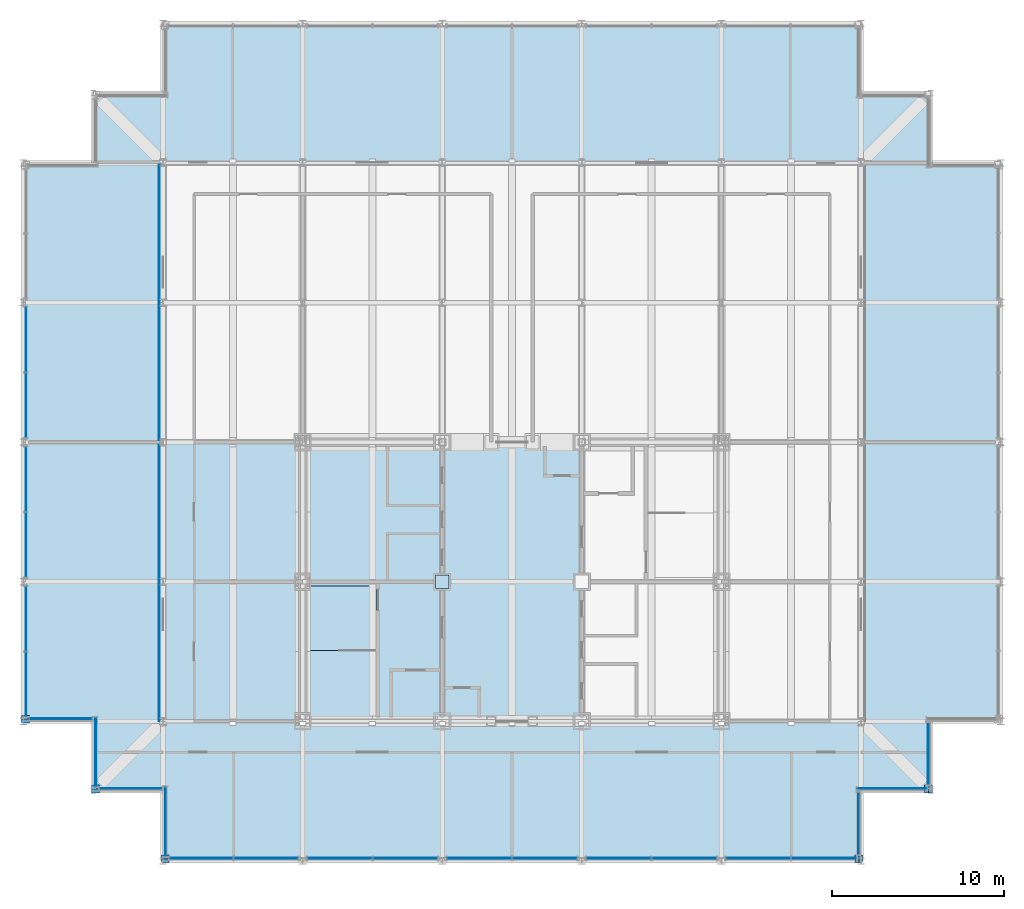
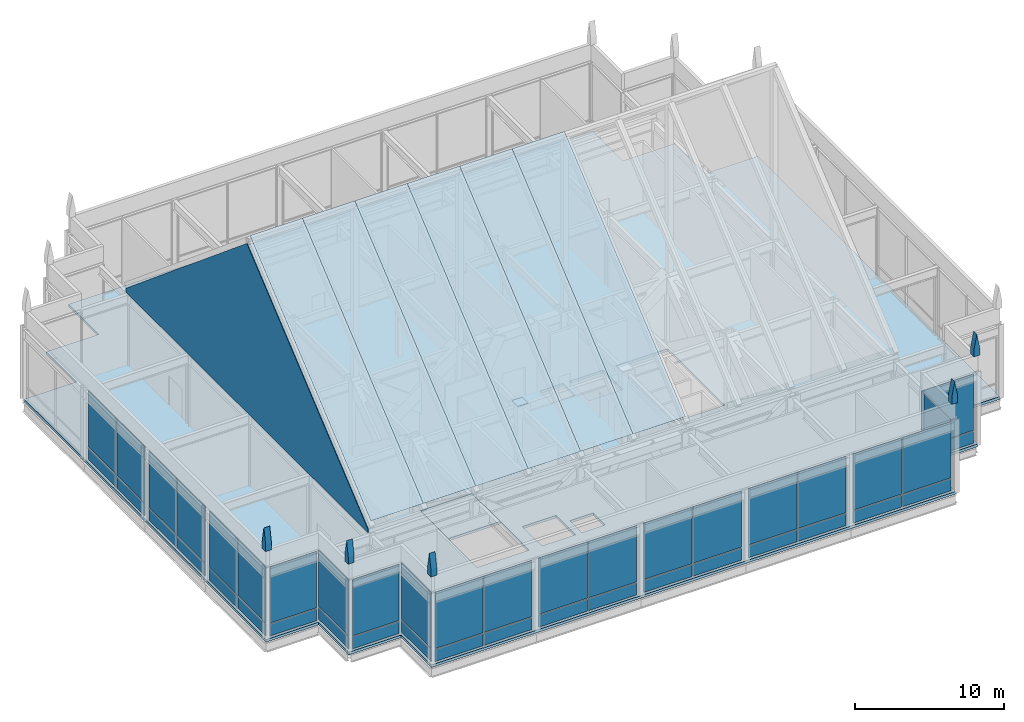
# One storey, part 14 of 22: 58 plates, 2 slabs, 15 elements without a shape of their own.
"""IFC4 building model written with IfcOpenShell, lengths in metres."""

from ifc_helpers import new_model, si_unit, direction, frame, origin, origin_2d, place, context, subcontext, project, spatial, polyline, rectangle, outline, extrude, material, layer, layer_set, type_object, element, aggregate, save


model = new_model("IFC4")

# Units and contexts
model_context = context("Model", 3, precision=1e-05, world=origin(), true_north=direction((0.0, 1.0)))
body_context = subcontext(model_context, "Body", "Model", "MODEL_VIEW")
ifc_project = project(units=[si_unit("LENGTHUNIT", "METRE"), si_unit("AREAUNIT", "SQUARE_METRE"), si_unit("VOLUMEUNIT", "CUBIC_METRE"), si_unit("PLANEANGLEUNIT", "RADIAN"), si_unit("MASSUNIT", "GRAM", prefix="KILO")], contexts=[model_context])

# Site, building, storey
site_placement = place(None, origin())
site = spatial("IfcSite", under=ifc_project, at=site_placement, CompositionType="ELEMENT")
building_placement = place(site_placement, origin())
building = spatial("IfcBuilding", under=site, at=building_placement, Name="Kopane Lantern Tower", CompositionType="ELEMENT")
storey_placement = place(building_placement, frame((0.0, 0.0, 303.89990234375)))
storey = spatial("IfcBuildingStorey", under=building, at=storey_placement, Name="L77", CompositionType="ELEMENT", Elevation=303.89990234375)

# Curtain wall, plates
ifc_material_1 = material(Name="Aluminium and clear glass", Category="aluminium")
curtain_wall_type = type_object("IfcCurtainWallType", Name="CURTAIN WALL CW6 LANTERN CROWN", PredefinedType="USERDEFINED", material=ifc_material_1)
curtain_wall_1_placement = place(storey_placement, origin())
curtain_wall_1 = element("IfcCurtainWall", 1, at=curtain_wall_1_placement, inside=storey, type_object=curtain_wall_type, Name="Curtain wall CW6 S L77", ObjectType="CURTAIN WALL", PredefinedType="USERDEFINED")
ifc_material_2 = material(Name="Insulated clear glass unit", Category="glass")
ifc_layer_1 = layer(ifc_material_2, 0.0400390625)
ifc_layer_set_1 = layer_set([ifc_layer_1], Name="CURTAIN PANEL CW6-P 40")
plate_type_1 = type_object("IfcPlateType", Name="CURTAIN PANEL CW6-P 40", PredefinedType="CURTAIN_PANEL", material=ifc_layer_set_1)
plate_1_placement = place(storey_placement, frame((10.31884765625, 16.35009765625, 0.080078125), z_axis=(0.0, 0.0, 1.0), x_axis=(1.0, 0.0, 0.0)))
plate_1 = element("IfcPlate", 2, at=plate_1_placement, type_object=plate_type_1, Name="CW6 panel 1.1", PredefinedType="CURTAIN_PANEL", context=body_context, shape_type="SweptSolid", body=[
    extrude(rectangle(XDim=3.677734375, YDim=0.0400390625, at=origin_2d()), origin(), (0.0, 0.0, 1.0), 0.97998046875),
])
plate_2_placement = place(storey_placement, frame((10.31884765625, 16.35009765625, 1.14013671875), z_axis=(0.0, 0.0, 1.0), x_axis=(1.0, 0.0, 0.0)))
plate_2 = element("IfcPlate", 3, at=plate_2_placement, type_object=plate_type_1, Name="CW6 panel 1.2", PredefinedType="CURTAIN_PANEL", context=body_context, shape_type="SweptSolid", body=[
    extrude(rectangle(XDim=3.677734375, YDim=0.0400390625, at=origin_2d()), origin(), (0.0, 0.0, 1.0), 4.580078125),
])
plate_3_placement = place(storey_placement, frame((14.07666015625, 16.35009765625, 0.080078125), z_axis=(0.0, 0.0, 1.0), x_axis=(1.0, 0.0, 0.0)))
plate_3 = element("IfcPlate", 4, at=plate_3_placement, type_object=plate_type_1, Name="CW6 panel 2.1", PredefinedType="CURTAIN_PANEL", context=body_context, shape_type="SweptSolid", body=[
    extrude(rectangle(XDim=3.677734375, YDim=0.0400390625, at=origin_2d()), origin(), (0.0, 0.0, 1.0), 0.97998046875),
])
plate_4_placement = place(storey_placement, frame((14.07666015625, 16.35009765625, 1.14013671875), z_axis=(0.0, 0.0, 1.0), x_axis=(1.0, 0.0, 0.0)))
plate_4 = element("IfcPlate", 5, at=plate_4_placement, type_object=plate_type_1, Name="CW6 panel 2.2", PredefinedType="CURTAIN_PANEL", context=body_context, shape_type="SweptSolid", body=[
    extrude(rectangle(XDim=3.677734375, YDim=0.0400390625, at=origin_2d()), origin(), (0.0, 0.0, 1.0), 4.580078125),
])
aggregate(curtain_wall_1, [plate_1, plate_2, plate_3, plate_4])

curtain_wall_2_placement = place(storey_placement, origin())
curtain_wall_2 = element("IfcCurtainWall", 6, at=curtain_wall_2_placement, inside=storey, type_object=curtain_wall_type, Name="Curtain wall CW6 S L77", ObjectType="CURTAIN WALL", PredefinedType="USERDEFINED")
plate_5_placement = place(storey_placement, frame((18.34716796875, 16.35009765625, 0.080078125), z_axis=(0.0, 0.0, 1.0), x_axis=(1.0, 0.0, 0.0)))
plate_5 = element("IfcPlate", 7, at=plate_5_placement, type_object=plate_type_1, Name="CW6 panel 1.1", PredefinedType="CURTAIN_PANEL", context=body_context, shape_type="SweptSolid", body=[
    extrude(rectangle(XDim=3.7255859375, YDim=0.0400390625, at=origin_2d()), origin(), (0.0, 0.0, 1.0), 0.97998046875),
])
plate_6_placement = place(storey_placement, frame((18.34716796875, 16.35009765625, 1.14013671875), z_axis=(0.0, 0.0, 1.0), x_axis=(1.0, 0.0, 0.0)))
plate_6 = element("IfcPlate", 8, at=plate_6_placement, type_object=plate_type_1, Name="CW6 panel 1.2", PredefinedType="CURTAIN_PANEL", context=body_context, shape_type="SweptSolid", body=[
    extrude(rectangle(XDim=3.7255859375, YDim=0.0400390625, at=origin_2d()), origin(), (0.0, 0.0, 1.0), 4.580078125),
])
plate_7_placement = place(storey_placement, frame((22.15283203125, 16.35009765625, 0.080078125), z_axis=(0.0, 0.0, 1.0), x_axis=(1.0, 0.0, 0.0)))
plate_7 = element("IfcPlate", 9, at=plate_7_placement, type_object=plate_type_1, Name="CW6 panel 2.1", PredefinedType="CURTAIN_PANEL", context=body_context, shape_type="SweptSolid", body=[
    extrude(rectangle(XDim=3.7255859375, YDim=0.0400390625, at=origin_2d()), origin(), (0.0, 0.0, 1.0), 0.97998046875),
])
plate_8_placement = place(storey_placement, frame((22.15283203125, 16.35009765625, 1.14013671875), z_axis=(0.0, 0.0, 1.0), x_axis=(1.0, 0.0, 0.0)))
plate_8 = element("IfcPlate", 10, at=plate_8_placement, type_object=plate_type_1, Name="CW6 panel 2.2", PredefinedType="CURTAIN_PANEL", context=body_context, shape_type="SweptSolid", body=[
    extrude(rectangle(XDim=3.7255859375, YDim=0.0400390625, at=origin_2d()), origin(), (0.0, 0.0, 1.0), 4.580078125),
])
aggregate(curtain_wall_2, [plate_5, plate_6, plate_7, plate_8])

curtain_wall_3_placement = place(storey_placement, origin())
curtain_wall_3 = element("IfcCurtainWall", 11, at=curtain_wall_3_placement, inside=storey, type_object=curtain_wall_type, Name="Curtain wall CW6 S L77", ObjectType="CURTAIN WALL", PredefinedType="USERDEFINED")
plate_9_placement = place(storey_placement, frame((26.447265625, 16.35009765625, 0.080078125), z_axis=(0.0, 0.0, 1.0), x_axis=(1.0, 0.0, 0.0)))
plate_9 = element("IfcPlate", 12, at=plate_9_placement, type_object=plate_type_1, Name="CW6 panel 1.1", PredefinedType="CURTAIN_PANEL", context=body_context, shape_type="SweptSolid", body=[
    extrude(rectangle(XDim=3.7255859375, YDim=0.0400390625, at=origin_2d()), origin(), (0.0, 0.0, 1.0), 0.97998046875),
])
plate_10_placement = place(storey_placement, frame((26.447265625, 16.35009765625, 1.14013671875), z_axis=(0.0, 0.0, 1.0), x_axis=(1.0, 0.0, 0.0)))
plate_10 = element("IfcPlate", 13, at=plate_10_placement, type_object=plate_type_1, Name="CW6 panel 1.2", PredefinedType="CURTAIN_PANEL", context=body_context, shape_type="SweptSolid", body=[
    extrude(rectangle(XDim=3.7255859375, YDim=0.0400390625, at=origin_2d()), origin(), (0.0, 0.0, 1.0), 4.580078125),
])
plate_11_placement = place(storey_placement, frame((30.252685546875, 16.35009765625, 0.080078125), z_axis=(0.0, 0.0, 1.0), x_axis=(1.0, 0.0, 0.0)))
plate_11 = element("IfcPlate", 14, at=plate_11_placement, type_object=plate_type_1, Name="CW6 panel 2.1", PredefinedType="CURTAIN_PANEL", context=body_context, shape_type="SweptSolid", body=[
    extrude(rectangle(XDim=3.7255859375, YDim=0.0400390625, at=origin_2d()), origin(), (0.0, 0.0, 1.0), 0.97998046875),
])
plate_12_placement = place(storey_placement, frame((30.252685546875, 16.35009765625, 1.14013671875), z_axis=(0.0, 0.0, 1.0), x_axis=(1.0, 0.0, 0.0)))
plate_12 = element("IfcPlate", 15, at=plate_12_placement, type_object=plate_type_1, Name="CW6 panel 2.2", PredefinedType="CURTAIN_PANEL", context=body_context, shape_type="SweptSolid", body=[
    extrude(rectangle(XDim=3.7255859375, YDim=0.0400390625, at=origin_2d()), origin(), (0.0, 0.0, 1.0), 4.580078125),
])
aggregate(curtain_wall_3, [plate_9, plate_10, plate_11, plate_12])

curtain_wall_4_placement = place(storey_placement, origin())
curtain_wall_4 = element("IfcCurtainWall", 16, at=curtain_wall_4_placement, inside=storey, type_object=curtain_wall_type, Name="Curtain wall CW6 S L77", ObjectType="CURTAIN WALL", PredefinedType="USERDEFINED")
plate_13_placement = place(storey_placement, frame((34.54736328125, 16.35009765625, 0.080078125), z_axis=(0.0, 0.0, 1.0), x_axis=(1.0, 0.0, 0.0)))
plate_13 = element("IfcPlate", 17, at=plate_13_placement, type_object=plate_type_1, Name="CW6 panel 1.1", PredefinedType="CURTAIN_PANEL", context=body_context, shape_type="SweptSolid", body=[
    extrude(rectangle(XDim=3.7255859375, YDim=0.0400390625, at=origin_2d()), origin(), (0.0, 0.0, 1.0), 0.97998046875),
])
plate_14_placement = place(storey_placement, frame((34.54736328125, 16.35009765625, 1.14013671875), z_axis=(0.0, 0.0, 1.0), x_axis=(1.0, 0.0, 0.0)))
plate_14 = element("IfcPlate", 18, at=plate_14_placement, type_object=plate_type_1, Name="CW6 panel 1.2", PredefinedType="CURTAIN_PANEL", context=body_context, shape_type="SweptSolid", body=[
    extrude(rectangle(XDim=3.7255859375, YDim=0.0400390625, at=origin_2d()), origin(), (0.0, 0.0, 1.0), 4.580078125),
])
plate_15_placement = place(storey_placement, frame((38.352783203125, 16.35009765625, 0.080078125), z_axis=(0.0, 0.0, 1.0), x_axis=(1.0, 0.0, 0.0)))
plate_15 = element("IfcPlate", 19, at=plate_15_placement, type_object=plate_type_1, Name="CW6 panel 2.1", PredefinedType="CURTAIN_PANEL", context=body_context, shape_type="SweptSolid", body=[
    extrude(rectangle(XDim=3.7255859375, YDim=0.0400390625, at=origin_2d()), origin(), (0.0, 0.0, 1.0), 0.97998046875),
])
plate_16_placement = place(storey_placement, frame((38.352783203125, 16.35009765625, 1.14013671875), z_axis=(0.0, 0.0, 1.0), x_axis=(1.0, 0.0, 0.0)))
plate_16 = element("IfcPlate", 20, at=plate_16_placement, type_object=plate_type_1, Name="CW6 panel 2.2", PredefinedType="CURTAIN_PANEL", context=body_context, shape_type="SweptSolid", body=[
    extrude(rectangle(XDim=3.7255859375, YDim=0.0400390625, at=origin_2d()), origin(), (0.0, 0.0, 1.0), 4.580078125),
])
aggregate(curtain_wall_4, [plate_13, plate_14, plate_15, plate_16])

curtain_wall_5_placement = place(storey_placement, origin())
curtain_wall_5 = element("IfcCurtainWall", 21, at=curtain_wall_5_placement, inside=storey, type_object=curtain_wall_type, Name="Curtain wall CW6 S L77", ObjectType="CURTAIN WALL", PredefinedType="USERDEFINED")
plate_17_placement = place(storey_placement, frame((42.647216796875, 16.35009765625, 0.080078125), z_axis=(0.0, 0.0, 1.0), x_axis=(1.0, 0.0, 0.0)))
plate_17 = element("IfcPlate", 22, at=plate_17_placement, type_object=plate_type_1, Name="CW6 panel 1.1", PredefinedType="CURTAIN_PANEL", context=body_context, shape_type="SweptSolid", body=[
    extrude(rectangle(XDim=3.7255859375, YDim=0.0400390625, at=origin_2d()), origin(), (0.0, 0.0, 1.0), 0.97998046875),
])
plate_18_placement = place(storey_placement, frame((42.647216796875, 16.35009765625, 1.14013671875), z_axis=(0.0, 0.0, 1.0), x_axis=(1.0, 0.0, 0.0)))
plate_18 = element("IfcPlate", 23, at=plate_18_placement, type_object=plate_type_1, Name="CW6 panel 1.2", PredefinedType="CURTAIN_PANEL", context=body_context, shape_type="SweptSolid", body=[
    extrude(rectangle(XDim=3.7255859375, YDim=0.0400390625, at=origin_2d()), origin(), (0.0, 0.0, 1.0), 4.580078125),
])
plate_19_placement = place(storey_placement, frame((46.45263671875, 16.35009765625, 0.080078125), z_axis=(0.0, 0.0, 1.0), x_axis=(1.0, 0.0, 0.0)))
plate_19 = element("IfcPlate", 24, at=plate_19_placement, type_object=plate_type_1, Name="CW6 panel 2.1", PredefinedType="CURTAIN_PANEL", context=body_context, shape_type="SweptSolid", body=[
    extrude(rectangle(XDim=3.7255859375, YDim=0.0400390625, at=origin_2d()), origin(), (0.0, 0.0, 1.0), 0.97998046875),
])
plate_20_placement = place(storey_placement, frame((46.45263671875, 16.35009765625, 1.14013671875), z_axis=(0.0, 0.0, 1.0), x_axis=(1.0, 0.0, 0.0)))
plate_20 = element("IfcPlate", 25, at=plate_20_placement, type_object=plate_type_1, Name="CW6 panel 2.2", PredefinedType="CURTAIN_PANEL", context=body_context, shape_type="SweptSolid", body=[
    extrude(rectangle(XDim=3.7255859375, YDim=0.0400390625, at=origin_2d()), origin(), (0.0, 0.0, 1.0), 4.580078125),
])
aggregate(curtain_wall_5, [plate_17, plate_18, plate_19, plate_20])

curtain_wall_6_placement = place(storey_placement, origin())
curtain_wall_6 = element("IfcCurtainWall", 26, at=curtain_wall_6_placement, inside=storey, type_object=curtain_wall_type, Name="Curtain wall CW6 E L77", ObjectType="CURTAIN WALL", PredefinedType="USERDEFINED")
plate_21_placement = place(storey_placement, frame((48.449951171875, 18.375, 0.080078125), z_axis=(0.0, 0.0, 1.0), x_axis=(0.0, 1.0, 0.0)))
plate_21 = element("IfcPlate", 27, at=plate_21_placement, type_object=plate_type_1, Name="CW6 panel 1.1", PredefinedType="CURTAIN_PANEL", context=body_context, shape_type="SweptSolid", body=[
    extrude(rectangle(XDim=3.590087890625, YDim=0.0400390625, at=origin_2d()), origin(), (0.0, 0.0, 1.0), 0.97998046875),
])
plate_22_placement = place(storey_placement, frame((48.449951171875, 18.375, 1.14013671875), z_axis=(0.0, 0.0, 1.0), x_axis=(0.0, 1.0, 0.0)))
plate_22 = element("IfcPlate", 28, at=plate_22_placement, type_object=plate_type_1, Name="CW6 panel 1.2", PredefinedType="CURTAIN_PANEL", context=body_context, shape_type="SweptSolid", body=[
    extrude(rectangle(XDim=3.590087890625, YDim=0.0400390625, at=origin_2d()), origin(), (0.0, 0.0, 1.0), 4.580078125),
])
aggregate(curtain_wall_6, [plate_21, plate_22])

curtain_wall_7_placement = place(storey_placement, origin())
curtain_wall_7 = element("IfcCurtainWall", 29, at=curtain_wall_7_placement, inside=storey, type_object=curtain_wall_type, Name="Curtain wall CW6 S L77", ObjectType="CURTAIN WALL", PredefinedType="USERDEFINED")
plate_23_placement = place(storey_placement, frame((50.395751953125, 20.39990234375, 0.080078125), z_axis=(0.0, 0.0, 1.0), x_axis=(1.0, 0.0, 0.0)))
plate_23 = element("IfcPlate", 30, at=plate_23_placement, type_object=plate_type_1, Name="CW6 panel 1.1", PredefinedType="CURTAIN_PANEL", context=body_context, shape_type="SweptSolid", body=[
    extrude(rectangle(XDim=4.03125, YDim=0.0400390625, at=origin_2d()), origin(), (0.0, 0.0, 1.0), 0.97998046875),
])
plate_24_placement = place(storey_placement, frame((50.395751953125, 20.39990234375, 1.14013671875), z_axis=(0.0, 0.0, 1.0), x_axis=(1.0, 0.0, 0.0)))
plate_24 = element("IfcPlate", 31, at=plate_24_placement, type_object=plate_type_1, Name="CW6 panel 1.2", PredefinedType="CURTAIN_PANEL", context=body_context, shape_type="SweptSolid", body=[
    extrude(rectangle(XDim=4.03125, YDim=0.0400390625, at=origin_2d()), origin(), (0.0, 0.0, 1.0), 4.580078125),
])
aggregate(curtain_wall_7, [plate_23, plate_24])

# Curtain wall, plate
curtain_wall_8_placement = place(storey_placement, origin())
curtain_wall_8 = element("IfcCurtainWall", 32, at=curtain_wall_8_placement, inside=storey, type_object=curtain_wall_type, Name="Curtain wall CW6 E L77", ObjectType="CURTAIN WALL", PredefinedType="USERDEFINED")
plate_25_placement = place(storey_placement, frame((52.5, 22.425048828125, 0.080078125), z_axis=(0.0, 0.0, 1.0), x_axis=(0.0, 1.0, 0.0)))
plate_25 = element("IfcPlate", 33, at=plate_25_placement, type_object=plate_type_1, Name="CW6 panel 1.1", PredefinedType="CURTAIN_PANEL", context=body_context, shape_type="SweptSolid", body=[
    extrude(rectangle(XDim=3.590087890625, YDim=0.0400390625, at=origin_2d()), origin(), (0.0, 0.0, 1.0), 0.97998046875),
])
aggregate(curtain_wall_8, [plate_25])

# Curtain wall, plates
curtain_wall_9_placement = place(storey_placement, origin())
curtain_wall_9 = element("IfcCurtainWall", 34, at=curtain_wall_9_placement, inside=storey, type_object=curtain_wall_type, Name="Curtain wall CW6 W L77", ObjectType="CURTAIN WALL", PredefinedType="USERDEFINED")
plate_26_placement = place(storey_placement, frame((0.14990234375, 46.4541015625, 0.080078125), z_axis=(0.0, 0.0, 1.0), x_axis=(0.0, -1.0, 0.0)))
plate_26 = element("IfcPlate", 35, at=plate_26_placement, type_object=plate_type_1, Name="CW6 panel 1.1", PredefinedType="CURTAIN_PANEL", context=body_context, shape_type="SweptSolid", body=[
    extrude(rectangle(XDim=3.728271484375, YDim=0.0400390625, at=origin_2d()), origin(), (0.0, 0.0, 1.0), 0.97998046875),
])
plate_27_placement = place(storey_placement, frame((0.14990234375, 46.4541015625, 1.14013671875), z_axis=(0.0, 0.0, 1.0), x_axis=(0.0, -1.0, 0.0)))
plate_27 = element("IfcPlate", 36, at=plate_27_placement, type_object=plate_type_1, Name="CW6 panel 1.2", PredefinedType="CURTAIN_PANEL", context=body_context, shape_type="SweptSolid", body=[
    extrude(rectangle(XDim=3.728271484375, YDim=0.0400390625, at=origin_2d()), origin(), (0.0, 0.0, 1.0), 4.580078125),
])
plate_28_placement = place(storey_placement, frame((0.14990234375, 42.64599609375, 0.080078125), z_axis=(0.0, 0.0, 1.0), x_axis=(0.0, -1.0, 0.0)))
plate_28 = element("IfcPlate", 37, at=plate_28_placement, type_object=plate_type_1, Name="CW6 panel 2.1", PredefinedType="CURTAIN_PANEL", context=body_context, shape_type="SweptSolid", body=[
    extrude(rectangle(XDim=3.728271484375, YDim=0.0400390625, at=origin_2d()), origin(), (0.0, 0.0, 1.0), 0.97998046875),
])
plate_29_placement = place(storey_placement, frame((0.14990234375, 42.64599609375, 1.14013671875), z_axis=(0.0, 0.0, 1.0), x_axis=(0.0, -1.0, 0.0)))
plate_29 = element("IfcPlate", 38, at=plate_29_placement, type_object=plate_type_1, Name="CW6 panel 2.2", PredefinedType="CURTAIN_PANEL", context=body_context, shape_type="SweptSolid", body=[
    extrude(rectangle(XDim=3.728271484375, YDim=0.0400390625, at=origin_2d()), origin(), (0.0, 0.0, 1.0), 4.580078125),
])
aggregate(curtain_wall_9, [plate_26, plate_27, plate_28, plate_29])

curtain_wall_10_placement = place(storey_placement, origin())
curtain_wall_10 = element("IfcCurtainWall", 39, at=curtain_wall_10_placement, inside=storey, type_object=curtain_wall_type, Name="Curtain wall CW6 W L77", ObjectType="CURTAIN WALL", PredefinedType="USERDEFINED")
plate_30_placement = place(storey_placement, frame((0.14990234375, 38.35400390625, 0.080078125), z_axis=(0.0, 0.0, 1.0), x_axis=(0.0, -1.0, 0.0)))
plate_30 = element("IfcPlate", 40, at=plate_30_placement, type_object=plate_type_1, Name="CW6 panel 1.1", PredefinedType="CURTAIN_PANEL", context=body_context, shape_type="SweptSolid", body=[
    extrude(rectangle(XDim=3.728271484375, YDim=0.0400390625, at=origin_2d()), origin(), (0.0, 0.0, 1.0), 0.97998046875),
])
plate_31_placement = place(storey_placement, frame((0.14990234375, 38.35400390625, 1.14013671875), z_axis=(0.0, 0.0, 1.0), x_axis=(0.0, -1.0, 0.0)))
plate_31 = element("IfcPlate", 41, at=plate_31_placement, type_object=plate_type_1, Name="CW6 panel 1.2", PredefinedType="CURTAIN_PANEL", context=body_context, shape_type="SweptSolid", body=[
    extrude(rectangle(XDim=3.728271484375, YDim=0.0400390625, at=origin_2d()), origin(), (0.0, 0.0, 1.0), 4.580078125),
])
plate_32_placement = place(storey_placement, frame((0.14990234375, 34.5458984375, 0.080078125), z_axis=(0.0, 0.0, 1.0), x_axis=(0.0, -1.0, 0.0)))
plate_32 = element("IfcPlate", 42, at=plate_32_placement, type_object=plate_type_1, Name="CW6 panel 2.1", PredefinedType="CURTAIN_PANEL", context=body_context, shape_type="SweptSolid", body=[
    extrude(rectangle(XDim=3.728271484375, YDim=0.0400390625, at=origin_2d()), origin(), (0.0, 0.0, 1.0), 0.97998046875),
])
plate_33_placement = place(storey_placement, frame((0.14990234375, 34.5458984375, 1.14013671875), z_axis=(0.0, 0.0, 1.0), x_axis=(0.0, -1.0, 0.0)))
plate_33 = element("IfcPlate", 43, at=plate_33_placement, type_object=plate_type_1, Name="CW6 panel 2.2", PredefinedType="CURTAIN_PANEL", context=body_context, shape_type="SweptSolid", body=[
    extrude(rectangle(XDim=3.728271484375, YDim=0.0400390625, at=origin_2d()), origin(), (0.0, 0.0, 1.0), 4.580078125),
])
aggregate(curtain_wall_10, [plate_30, plate_31, plate_32, plate_33])

curtain_wall_11_placement = place(storey_placement, origin())
curtain_wall_11 = element("IfcCurtainWall", 44, at=curtain_wall_11_placement, inside=storey, type_object=curtain_wall_type, Name="Curtain wall CW6 W L77", ObjectType="CURTAIN WALL", PredefinedType="USERDEFINED")
plate_34_placement = place(storey_placement, frame((0.14990234375, 30.254150390625, 0.080078125), z_axis=(0.0, 0.0, 1.0), x_axis=(0.0, -1.0, 0.0)))
plate_34 = element("IfcPlate", 45, at=plate_34_placement, type_object=plate_type_1, Name="CW6 panel 1.1", PredefinedType="CURTAIN_PANEL", context=body_context, shape_type="SweptSolid", body=[
    extrude(rectangle(XDim=3.728271484375, YDim=0.0400390625, at=origin_2d()), origin(), (0.0, 0.0, 1.0), 0.97998046875),
])
plate_35_placement = place(storey_placement, frame((0.14990234375, 30.254150390625, 1.14013671875), z_axis=(0.0, 0.0, 1.0), x_axis=(0.0, -1.0, 0.0)))
plate_35 = element("IfcPlate", 46, at=plate_35_placement, type_object=plate_type_1, Name="CW6 panel 1.2", PredefinedType="CURTAIN_PANEL", context=body_context, shape_type="SweptSolid", body=[
    extrude(rectangle(XDim=3.728271484375, YDim=0.0400390625, at=origin_2d()), origin(), (0.0, 0.0, 1.0), 4.580078125),
])
plate_36_placement = place(storey_placement, frame((0.14990234375, 26.44580078125, 0.080078125), z_axis=(0.0, 0.0, 1.0), x_axis=(0.0, -1.0, 0.0)))
plate_36 = element("IfcPlate", 47, at=plate_36_placement, type_object=plate_type_1, Name="CW6 panel 2.1", PredefinedType="CURTAIN_PANEL", context=body_context, shape_type="SweptSolid", body=[
    extrude(rectangle(XDim=3.728271484375, YDim=0.0400390625, at=origin_2d()), origin(), (0.0, 0.0, 1.0), 0.97998046875),
])
plate_37_placement = place(storey_placement, frame((0.14990234375, 26.44580078125, 1.14013671875), z_axis=(0.0, 0.0, 1.0), x_axis=(0.0, -1.0, 0.0)))
plate_37 = element("IfcPlate", 48, at=plate_37_placement, type_object=plate_type_1, Name="CW6 panel 2.2", PredefinedType="CURTAIN_PANEL", context=body_context, shape_type="SweptSolid", body=[
    extrude(rectangle(XDim=3.728271484375, YDim=0.0400390625, at=origin_2d()), origin(), (0.0, 0.0, 1.0), 4.580078125),
])
aggregate(curtain_wall_11, [plate_34, plate_35, plate_36, plate_37])

curtain_wall_12_placement = place(storey_placement, origin())
curtain_wall_12 = element("IfcCurtainWall", 49, at=curtain_wall_12_placement, inside=storey, type_object=curtain_wall_type, Name="Curtain wall CW6 S L77", ObjectType="CURTAIN WALL", PredefinedType="USERDEFINED")
plate_38_placement = place(storey_placement, frame((2.175048828125, 24.449951171875, 0.080078125), z_axis=(0.0, 0.0, 1.0), x_axis=(1.0, 0.0, 0.0)))
plate_38 = element("IfcPlate", 50, at=plate_38_placement, type_object=plate_type_1, Name="CW6 panel 1.1", PredefinedType="CURTAIN_PANEL", context=body_context, shape_type="SweptSolid", body=[
    extrude(rectangle(XDim=3.590087890625, YDim=0.0400390625, at=origin_2d()), origin(), (0.0, 0.0, 1.0), 0.97998046875),
])
plate_39_placement = place(storey_placement, frame((2.175048828125, 24.449951171875, 1.14013671875), z_axis=(0.0, 0.0, 1.0), x_axis=(1.0, 0.0, 0.0)))
plate_39 = element("IfcPlate", 51, at=plate_39_placement, type_object=plate_type_1, Name="CW6 panel 1.2", PredefinedType="CURTAIN_PANEL", context=body_context, shape_type="SweptSolid", body=[
    extrude(rectangle(XDim=3.590087890625, YDim=0.0400390625, at=origin_2d()), origin(), (0.0, 0.0, 1.0), 4.580078125),
])
aggregate(curtain_wall_12, [plate_38, plate_39])

curtain_wall_13_placement = place(storey_placement, origin())
curtain_wall_13 = element("IfcCurtainWall", 52, at=curtain_wall_13_placement, inside=storey, type_object=curtain_wall_type, Name="Curtain wall CW6 W L77", ObjectType="CURTAIN WALL", PredefinedType="USERDEFINED")
plate_40_placement = place(storey_placement, frame((4.199951171875, 22.506103515625, 0.080078125), z_axis=(0.0, 0.0, 1.0), x_axis=(0.0, -1.0, 0.0)))
plate_40 = element("IfcPlate", 53, at=plate_40_placement, type_object=plate_type_1, Name="CW6 panel 1.1", PredefinedType="CURTAIN_PANEL", context=body_context, shape_type="SweptSolid", body=[
    extrude(rectangle(XDim=4.027587890625, YDim=0.0400390625, at=origin_2d()), origin(), (0.0, 0.0, 1.0), 0.97998046875),
])
plate_41_placement = place(storey_placement, frame((4.199951171875, 22.506103515625, 1.14013671875), z_axis=(0.0, 0.0, 1.0), x_axis=(0.0, -1.0, 0.0)))
plate_41 = element("IfcPlate", 54, at=plate_41_placement, type_object=plate_type_1, Name="CW6 panel 1.2", PredefinedType="CURTAIN_PANEL", context=body_context, shape_type="SweptSolid", body=[
    extrude(rectangle(XDim=4.027587890625, YDim=0.0400390625, at=origin_2d()), origin(), (0.0, 0.0, 1.0), 4.580078125),
])
aggregate(curtain_wall_13, [plate_40, plate_41])

curtain_wall_14_placement = place(storey_placement, origin())
curtain_wall_14 = element("IfcCurtainWall", 55, at=curtain_wall_14_placement, inside=storey, type_object=curtain_wall_type, Name="Curtain wall CW6 S L77", ObjectType="CURTAIN WALL", PredefinedType="USERDEFINED")
plate_42_placement = place(storey_placement, frame((6.22509765625, 20.39990234375, 0.080078125), z_axis=(0.0, 0.0, 1.0), x_axis=(1.0, 0.0, 0.0)))
plate_42 = element("IfcPlate", 56, at=plate_42_placement, type_object=plate_type_1, Name="CW6 panel 1.1", PredefinedType="CURTAIN_PANEL", context=body_context, shape_type="SweptSolid", body=[
    extrude(rectangle(XDim=3.590087890625, YDim=0.0400390625, at=origin_2d()), origin(), (0.0, 0.0, 1.0), 0.97998046875),
])
plate_43_placement = place(storey_placement, frame((6.22509765625, 20.39990234375, 1.14013671875), z_axis=(0.0, 0.0, 1.0), x_axis=(1.0, 0.0, 0.0)))
plate_43 = element("IfcPlate", 57, at=plate_43_placement, type_object=plate_type_1, Name="CW6 panel 1.2", PredefinedType="CURTAIN_PANEL", context=body_context, shape_type="SweptSolid", body=[
    extrude(rectangle(XDim=3.590087890625, YDim=0.0400390625, at=origin_2d()), origin(), (0.0, 0.0, 1.0), 4.580078125),
])
aggregate(curtain_wall_14, [plate_42, plate_43])

curtain_wall_15_placement = place(storey_placement, origin())
curtain_wall_15 = element("IfcCurtainWall", 58, at=curtain_wall_15_placement, inside=storey, type_object=curtain_wall_type, Name="Curtain wall CW6 W L77", ObjectType="CURTAIN WALL", PredefinedType="USERDEFINED")
plate_44_placement = place(storey_placement, frame((8.25, 18.475830078125, 0.080078125), z_axis=(0.0, 0.0, 1.0), x_axis=(0.0, -1.0, 0.0)))
plate_44 = element("IfcPlate", 59, at=plate_44_placement, type_object=plate_type_1, Name="CW6 panel 1.1", PredefinedType="CURTAIN_PANEL", context=body_context, shape_type="SweptSolid", body=[
    extrude(rectangle(XDim=3.98828125, YDim=0.0400390625, at=origin_2d()), origin(), (0.0, 0.0, 1.0), 0.97998046875),
])
plate_45_placement = place(storey_placement, frame((8.25, 18.475830078125, 1.14013671875), z_axis=(0.0, 0.0, 1.0), x_axis=(0.0, -1.0, 0.0)))
plate_45 = element("IfcPlate", 60, at=plate_45_placement, type_object=plate_type_1, Name="CW6 panel 1.2", PredefinedType="CURTAIN_PANEL", context=body_context, shape_type="SweptSolid", body=[
    extrude(rectangle(XDim=3.98828125, YDim=0.0400390625, at=origin_2d()), origin(), (0.0, 0.0, 1.0), 4.580078125),
])
aggregate(curtain_wall_15, [plate_44, plate_45])

# Plates
ifc_material_3 = material(Name="Laminated clear glass", Category="glass")
ifc_layer_2 = layer(ifc_material_3, 0.0400390625)
ifc_layer_set_2 = layer_set([ifc_layer_2], Name="LANTERN GLASS PANEL LG1 40")
plate_type_2 = type_object("IfcPlateType", Name="LANTERN GLASS PANEL LG1 40", PredefinedType="SHEET", material=ifc_layer_set_2)
plate_46_placement = place(storey_placement, frame((8.10009765625, 24.300048828125, 6.872802734375), z_axis=(0.0, -0.640180982527, 0.768224127199), x_axis=(1.0, 0.0, 0.0)))
element("IfcPlate", 61, at=plate_46_placement, inside=storey, type_object=plate_type_2, Name="Lantern glass S", PredefinedType="SHEET", context=body_context, shape_type="SweptSolid", body=[
    extrude(outline(polyline([(0.0, 0.0), (4.0498046875, 0.0), (4.0498046875, 21.082447619706144), (0.0, 21.082447619706144), (0.0, 0.0)])), origin(), (0.0, 0.0, -1.0), 0.0400390625),
])
for number, where, z_axis, x_axis, name in (
    (62, (12.14990234375, 24.300048828125, 6.872802734375), (0.0, -0.640180982527, 0.768224127199), (1.0, 0.0, 0.0), "Lantern glass S"),
    (63, (16.199951171875, 24.300048828125, 6.872802734375), (0.0, -0.640180982527, 0.768224127199), (1.0, 0.0, 0.0), "Lantern glass S"),
    (64, (20.25, 24.300048828125, 6.872802734375), (0.0, -0.640180982527, 0.768224127199), (1.0, 0.0, 0.0), "Lantern glass S"),
    (65, (24.300048828125, 24.300048828125, 6.872802734375), (0.0, -0.640180982527, 0.768224127199), (1.0, 0.0, 0.0), "Lantern glass S"),
):
    element("IfcPlate", number, at=place(storey_placement, frame(where, z_axis=z_axis, x_axis=x_axis)), inside=storey, type_object=plate_type_2, Name=name, PredefinedType="SHEET", context=body_context, shape_type="SweptSolid", body=[
        extrude(outline(polyline([(0.0, 0.0), (4.050048828125, 0.0), (4.050048828125, 21.082447619706144), (0.0, 21.082447619706144), (0.0, 0.0)])), origin(), (0.0, 0.0, -1.0), 0.0400390625),
    ])
plate_47_placement = place(storey_placement, frame((28.35009765625, 24.300048828125, 6.872802734375), z_axis=(0.0, -0.640180982527, 0.768224127199), x_axis=(1.0, 0.0, 0.0)))
element("IfcPlate", 66, at=plate_47_placement, inside=storey, type_object=plate_type_2, Name="Lantern glass S", PredefinedType="SHEET", context=body_context, shape_type="SweptSolid", body=[
    extrude(outline(polyline([(0.0, 0.0), (4.0498046875, 0.0), (4.0498046875, 21.082447619706144), (0.0, 21.082447619706144), (0.0, 0.0)])), origin(), (0.0, 0.0, -1.0), 0.0400390625),
])
plate_48_placement = place(storey_placement, frame((7.8798828125, 24.300048828125, 6.0), z_axis=(0.0, 0.0, 1.0), x_axis=(0.0, 1.0, 0.0)))
element("IfcPlate", 67, at=plate_48_placement, inside=storey, type_object=plate_type_2, Name="Lantern gable W", PredefinedType="SHEET", context=body_context, shape_type="SweptSolid", body=[
    extrude(outline(polyline([(0.0, 0.0), (32.39990234375, 0.0), (32.39990234375, 0.300048828125), (16.199951171875, 13.800048828125), (0.0, 0.300048828125), (0.0, 0.0)])), frame((0.0, 0.02001953125, 0.0), z_axis=(0.0, -1.0, 0.0), x_axis=(1.0, 0.0, 0.0)), (0.0, 0.0, 1.0), 0.0400390625),
])
ifc_material_4 = material(Name="Terracotta rainscreen on light steel framing", Category="masonry")
ifc_layer_3 = layer(ifc_material_4, 0.449951171875)
ifc_layer_set_3 = layer_set([ifc_layer_3], Name="PINNACLE TP1 450x450x1800 TERRACOTTA")
plate_type_3 = type_object("IfcPlateType", Name="PINNACLE TP1 450x450x1800 TERRACOTTA", PredefinedType="USERDEFINED", material=ifc_layer_set_3)
for number, where, z_axis, x_axis, name in (
    (68, (8.22509765625, 16.550048828125, 7.28515625), (0.0, 0.0, 1.0), (0.0, -1.0, 0.0), "Pinnacle L77"),
    (69, (48.25, 16.324951171875, 7.28515625), (0.0, 0.0, 1.0), (1.0, 0.0, 0.0), "Pinnacle L77"),
    (70, (52.300048828125, 20.375, 7.28515625), (0.0, 0.0, 1.0), (1.0, 0.0, 0.0), "Pinnacle L77"),
    (71, (0.125, 24.64990234375, 7.28515625), (0.0, 0.0, 1.0), (0.0, -1.0, 0.0), "Pinnacle L77"),
):
    element("IfcPlate", number, at=place(storey_placement, frame(where, z_axis=z_axis, x_axis=x_axis)), inside=storey, type_object=plate_type_3, Name=name, ObjectType="PINNACLE", PredefinedType="USERDEFINED", context=body_context, shape_type="SweptSolid", body=[
        extrude(outline(polyline([(0.0, 0.0), (0.449951171875, 0.0), (0.449951171875, 0.599853515625), (0.22509765625, 1.800048828125), (0.0, 0.599853515625), (0.0, 0.0)])), frame((0.0, 0.22509765625, 0.0), z_axis=(0.0, -1.0, 0.0), x_axis=(1.0, 0.0, 0.0)), (0.0, 0.0, 1.0), 0.449951171875),
    ])
plate_49_placement = place(storey_placement, frame((4.175048828125, 20.60009765625, 7.28515625), z_axis=(0.0, 0.0, 1.0), x_axis=(0.0, -1.0, 0.0)))
element("IfcPlate", 72, at=plate_49_placement, inside=storey, type_object=plate_type_3, Name="Pinnacle L77", ObjectType="PINNACLE", PredefinedType="USERDEFINED", context=body_context, shape_type="SweptSolid", body=[
    extrude(outline(polyline([(0.0, 0.0), (0.4501953125, 0.0), (0.449951171875, 0.599853515625), (0.22509765625, 1.800048828125), (0.0, 0.599853515625), (0.0, 0.0)])), frame((0.0, 0.22509765625, 0.0), z_axis=(0.0, -1.0, 0.0), x_axis=(1.0, 0.0, 0.0)), (0.0, 0.0, 1.0), 0.449951171875),
])

# Slabs
ifc_material_5 = material(Name="Concrete C40/50", Category="concrete")
ifc_layer_4 = layer(ifc_material_5, 0.2099609375)
ifc_layer_set_4 = layer_set([ifc_layer_4], Name="SLAB 210 COMPOSITE")
slab_type_1 = type_object("IfcSlabType", Name="SLAB 210 COMPOSITE", PredefinedType="FLOOR", material=ifc_layer_set_4)
slab_1_placement = place(storey_placement, frame((0.0, 0.0, -0.2099609375)))
element("IfcSlab", 73, at=slab_1_placement, inside=storey, type_object=slab_type_1, Name="Floor slab L77", PredefinedType="FLOOR", context=body_context, shape_type="SweptSolid", body=[
    extrude(outline(polyline([(8.10009765625, 16.199951171875), (48.60009765625, 16.199951171875), (48.60009765625, 20.25), (52.64990234375, 20.25), (52.64990234375, 24.300048828125), (56.699951171875, 24.300048828125), (56.699951171875, 56.699951171875), (52.64990234375, 56.699951171875), (52.64990234375, 60.75), (48.60009765625, 60.75), (48.60009765625, 64.800048828125), (8.10009765625, 64.800048828125), (8.10009765625, 60.75), (4.050048828125, 60.75), (4.050048828125, 56.699951171875), (0.0, 56.699951171875), (0.0, 24.300048828125), (4.050048828125, 24.300048828125), (4.050048828125, 20.25), (8.10009765625, 20.25), (8.10009765625, 16.199951171875)]), holes=[polyline([(16.449951171875, 24.550048828125), (20.449951171875, 24.550048828125), (20.449951171875, 32.14990234375), (16.449951171875, 32.14990234375), (16.449951171875, 24.550048828125)]), polyline([(36.25, 32.64990234375), (40.25, 32.64990234375), (40.25, 40.25), (36.25, 40.25), (36.25, 32.64990234375)]), polyline([(21.449951171875, 24.550048828125), (24.050048828125, 24.550048828125), (24.050048828125, 27.14990234375), (21.449951171875, 27.14990234375), (21.449951171875, 24.550048828125)]), polyline([(32.64990234375, 37.64990234375), (35.25, 37.64990234375), (35.25, 40.25), (32.64990234375, 40.25), (32.64990234375, 37.64990234375)]), polyline([(24.550048828125, 24.550048828125), (26.35009765625, 24.550048828125), (26.35009765625, 26.14990234375), (24.550048828125, 26.14990234375), (24.550048828125, 24.550048828125)]), polyline([(30.35009765625, 38.64990234375), (32.14990234375, 38.64990234375), (32.14990234375, 40.25), (30.35009765625, 40.25), (30.35009765625, 38.64990234375)])]), origin(), (0.0, 0.0, 1.0), 0.2099609375),
])
ifc_material_6 = material(Name="Concrete C40/50", Category="concrete")
ifc_layer_5 = layer(ifc_material_6, 0.199951171875)
ifc_layer_set_5 = layer_set([ifc_layer_5], Name="STAIR LANDING 200")
slab_type_2 = type_object("IfcSlabType", Name="STAIR LANDING 200", PredefinedType="LANDING", material=ifc_layer_set_5)
slab_2_placement = place(storey_placement, frame((0.0, 0.0, -0.199951171875)))
element("IfcSlab", 74, at=slab_2_placement, inside=storey, type_object=slab_type_2, Name="ST1 landing L77", PredefinedType="LANDING", context=body_context, shape_type="SweptSolid", body=[
    extrude(outline(polyline([(20.449951171875, 28.409912109375), (20.449951171875, 32.14990234375), (16.449951171875, 32.14990234375), (16.449951171875, 28.409912109375), (20.449951171875, 28.409912109375)])), origin(), (0.0, 0.0, 1.0), 0.199951171875),
])

# Plate
ifc_material_7 = material(Name="Steel S355JR", Category="steel")
ifc_layer_6 = layer(ifc_material_7, 0.02490234375)
ifc_layer_set_6 = layer_set([ifc_layer_6], Name="STEEL END CAP PLATE PL25")
plate_type_4 = type_object("IfcPlateType", Name="STEEL END CAP PLATE PL25", PredefinedType="USERDEFINED", material=ifc_layer_set_6)
plate_50_placement = place(storey_placement, frame((24.300048828125, 32.39990234375, 5.988037109375), z_axis=(0.0, 0.0, 1.0), x_axis=(1.0, 0.0, 0.0)))
element("IfcPlate", 75, at=plate_50_placement, inside=storey, type_object=plate_type_4, Name="Column head cap plate 5/F L77", ObjectType="PLATE", PredefinedType="USERDEFINED", context=body_context, shape_type="SweptSolid", body=[
    extrude(rectangle(XDim=0.801025390625, YDim=0.801025390625, at=origin_2d()), origin(), (0.0, 0.0, 1.0), 0.02490234375),
])

save(model, "model.ifc")
